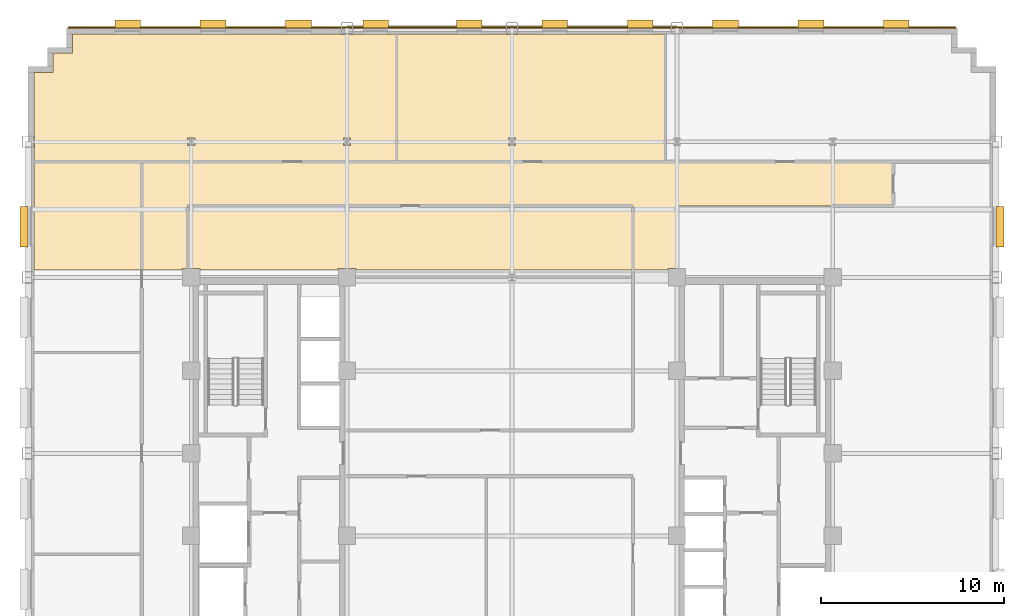
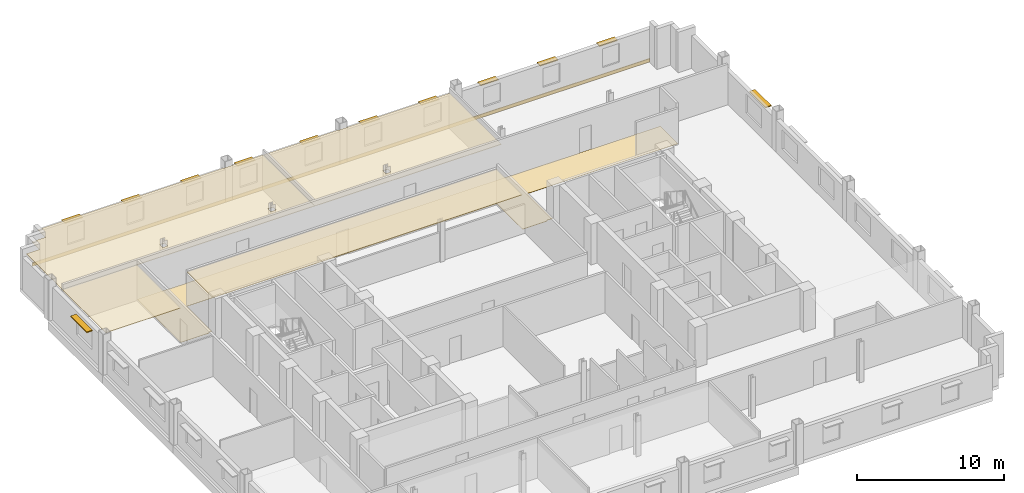
# One storey, part 13 of 13: 12 shading devices, 6 coverings.
"""IFC4 building model written with IfcOpenShell, lengths in metres."""

from ifc_helpers import new_model, si_unit, direction, frame, origin, origin_2d, place, context, subcontext, project, spatial, polyline, rectangle, outline, extrude, source, transform, mapped, material, layer, layer_set, type_object, type_shapes, element, save


model = new_model("IFC4")

# Units and contexts
model_context = context("Model", 3, precision=1e-05, world=origin(), true_north=direction((0.0, 1.0)))
body_context = subcontext(model_context, "Body", "Model", "MODEL_VIEW")
ifc_project = project(units=[si_unit("LENGTHUNIT", "METRE"), si_unit("AREAUNIT", "SQUARE_METRE"), si_unit("VOLUMEUNIT", "CUBIC_METRE"), si_unit("PLANEANGLEUNIT", "RADIAN"), si_unit("MASSUNIT", "GRAM", prefix="KILO")], contexts=[model_context])

# Site, building, storey
site_placement = place(None, origin())
site = spatial("IfcSite", under=ifc_project, at=site_placement, CompositionType="ELEMENT")
building_placement = place(site_placement, origin())
building = spatial("IfcBuilding", under=site, at=building_placement, Name="Nuvemarco Arch Tower", CompositionType="ELEMENT")
storey_placement = place(building_placement, frame((0.0, 0.0, 156.699951171875)))
storey = spatial("IfcBuildingStorey", under=building, at=storey_placement, Name="L41", CompositionType="ELEMENT", Elevation=156.699951171875)

# Coverings
ifc_material_1 = material(Name="Mineral acoustic ceiling tile")
ifc_layer_1 = layer(ifc_material_1, 0.0400390625, Name="COV-ACOUSTIC-CLG")
ifc_layer_set_1 = layer_set([ifc_layer_1], Name="Mineral acoustic ceiling tile")
covering_type_1 = type_object("IfcCoveringType", Name="COV-ACOUSTIC-CLG", PredefinedType="CEILING", material=ifc_layer_set_1)
covering_1_placement = place(storey_placement, frame((0.0, 0.0, 2.85009765625)))
element("IfcCovering", 1, at=covering_1_placement, inside=storey, type_object=covering_type_1, Name="L41 suspended acoustic ceiling 2", PredefinedType="CEILING", context=body_context, shape_type="SweptSolid", body=[
    extrude(outline(polyline([(-26.06005859375, 16.659912109375), (-26.06005859375, 17.340087890625), (-26.080078125, 17.340087890625), (-26.080078125, 20.780029296875), (-25.030029296875, 20.780029296875), (-25.030029296875, 21.830078125), (-23.97998046875, 21.830078125), (-23.97998046875, 22.8798828125), (-9.340087890625, 22.8798828125), (-9.340087890625, 22.860107421875), (-8.659912109375, 22.860107421875), (-8.659912109375, 22.8798828125), (-6.280029296875, 22.8798828125), (-6.280029296875, 15.89990234375), (-17.699951171875, 15.89990234375), (-20.199951171875, 15.89990234375), (-26.080078125, 15.89990234375), (-26.080078125, 16.659912109375), (-26.06005859375, 16.659912109375)]), holes=[polyline([(-17.304931640625, 16.804931640625), (-17.304931640625, 17.195068359375), (-17.695068359375, 17.195068359375), (-17.695068359375, 16.804931640625), (-17.304931640625, 16.804931640625)]), polyline([(-8.804931640625, 16.804931640625), (-8.804931640625, 17.195068359375), (-9.195068359375, 17.195068359375), (-9.195068359375, 16.804931640625), (-8.804931640625, 16.804931640625)])]), origin(), (0.0, 0.0, 1.0), 0.0400390625),
])
covering_2_placement = place(storey_placement, frame((0.0, 0.0, 2.85009765625)))
element("IfcCovering", 2, at=covering_2_placement, inside=storey, type_object=covering_type_1, Name="L41 suspended acoustic ceiling 3", PredefinedType="CEILING", context=body_context, shape_type="SweptSolid", body=[
    extrude(outline(polyline([(-0.340087890625, 22.860107421875), (0.340087890625, 22.860107421875), (0.340087890625, 22.8798828125), (8.35009765625, 22.8798828125), (8.35009765625, 15.89990234375), (6.60009765625, 15.89990234375), (-6.280029296875, 15.89990234375), (-6.280029296875, 22.8798828125), (-0.340087890625, 22.8798828125), (-0.340087890625, 22.860107421875)]), holes=[polyline([(0.195068359375, 16.804931640625), (0.195068359375, 17.195068359375), (-0.195068359375, 17.195068359375), (-0.195068359375, 16.804931640625), (0.195068359375, 16.804931640625)])]), origin(), (0.0, 0.0, 1.0), 0.0400390625),
])
covering_3_placement = place(storey_placement, frame((0.0, 0.0, 2.85009765625)))
element("IfcCovering", 3, at=covering_3_placement, inside=storey, type_object=covering_type_1, Name="L41 suspended acoustic ceiling 4", PredefinedType="CEILING", context=body_context, shape_type="SweptSolid", body=[
    extrude(outline(polyline([(6.60009765625, 13.5), (6.60009765625, 10.0), (-8.510009765625, 10.0), (-8.510009765625, 10.090087890625), (-9.489990234375, 10.090087890625), (-9.489990234375, 10.0), (-17.010009765625, 10.0), (-17.010009765625, 10.090087890625), (-17.699951171875, 10.090087890625), (-17.699951171875, 13.5), (6.60009765625, 13.5)])), origin(), (0.0, 0.0, 1.0), 0.0400390625),
])
covering_4_placement = place(storey_placement, frame((0.0, 0.0, 2.85009765625)))
element("IfcCovering", 4, at=covering_4_placement, inside=storey, type_object=covering_type_1, Name="L41 suspended acoustic ceiling 8", PredefinedType="CEILING", context=body_context, shape_type="SweptSolid", body=[
    extrude(outline(polyline([(-20.199951171875, 15.89990234375), (-20.199951171875, 13.5), (-20.199951171875, 10.0), (-26.080078125, 10.0), (-26.080078125, 15.89990234375), (-20.199951171875, 15.89990234375)])), origin(), (0.0, 0.0, 1.0), 0.0400390625),
])
ifc_material_2 = material(Name="Polished granite terrazzostone flooring", Category="masonry")
ifc_layer_2 = layer(ifc_material_2, 0.02001953125, Name="COV-LOBBY-FLR")
ifc_layer_set_2 = layer_set([ifc_layer_2], Name="Polished granite terrazzostone flooring")
covering_type_2 = type_object("IfcCoveringType", Name="COV-LOBBY-FLR", PredefinedType="FLOORING", material=ifc_layer_set_2)
covering_5_placement = place(storey_placement, origin())
element("IfcCovering", 5, at=covering_5_placement, inside=storey, type_object=covering_type_2, Name="L41 polished terrazzo lobby flooring", PredefinedType="FLOORING", context=body_context, shape_type="SweptSolid", body=[
    extrude(outline(polyline([(-20.199951171875, 13.5), (-20.199951171875, 15.89990234375), (-17.699951171875, 15.89990234375), (6.60009765625, 15.89990234375), (9.0, 15.89990234375), (20.800048828125, 15.89990234375), (20.800048828125, 13.5), (9.0, 13.5), (9.0, 10.090087890625), (8.510009765625, 10.090087890625), (8.510009765625, 10.0), (6.60009765625, 10.0), (6.60009765625, 13.5), (-17.699951171875, 13.5), (-17.699951171875, 10.090087890625), (-17.989990234375, 10.090087890625), (-17.989990234375, 10.0), (-20.199951171875, 10.0), (-20.199951171875, 13.5)])), origin(), (0.0, 0.0, 1.0), 0.02001953125),
])

# Shading devices
ifc_material_3 = material(Name="Anodised aluminium 6063-T6", Category="aluminium")
shading_device_type_1 = type_object("IfcShadingDeviceType", Name="SHD-BRISE-SOLEIL", PredefinedType="USERDEFINED", material=ifc_material_3)
shared_shape_1 = source(origin(), body_context, "Body", "SweptSolid", [
    extrude(rectangle(XDim=2.199951171875, YDim=0.449951171875, at=origin_2d()), origin(), (0.0, 0.0, 1.0), 0.080078125),
])
type_shapes(shading_device_type_1, [shared_shape_1])
for number, where, z_axis, x_axis, name in (
    (6, (26.614990234375, 12.364990234375, 2.364990234375), (0.0, 0.0, 1.0), (0.0, 1.0, 0.0), "L41 horizontal brise-soleil sunshade"),
    (7, (-26.614990234375, 12.364990234375, 2.364990234375), (0.0, 0.0, 1.0), (0.0, 1.0, 0.0), "L41 horizontal brise-soleil sunshade"),
):
    element("IfcShadingDevice", number, at=place(storey_placement, frame(where, z_axis=z_axis, x_axis=x_axis)), inside=storey, type_object=shading_device_type_1, Name=name, ObjectType="SUNSHADE", PredefinedType="USERDEFINED", context=body_context, shape_type="MappedRepresentation", body=[
        mapped(shared_shape_1, transform((0.0, 0.0, 0.0), scale=1.0)),
    ])
shading_device_type_2 = type_object("IfcShadingDeviceType", Name="SHD-BRISE-NARROW", PredefinedType="USERDEFINED", material=ifc_material_3)
shared_shape_2 = source(origin(), body_context, "Body", "SweptSolid", [
    extrude(rectangle(XDim=1.39990234375, YDim=0.449951171875, at=origin_2d()), origin(), (0.0, 0.0, 1.0), 0.080078125),
])
type_shapes(shading_device_type_2, [shared_shape_2])
for number, where, z_axis, x_axis, name in (
    (8, (-20.969970703125, 23.4150390625, 2.364990234375), (0.0, 0.0, 1.0), (1.0, 0.0, 0.0), "L41 horizontal brise-soleil sunshade"),
    (9, (-16.31005859375, 23.4150390625, 2.364990234375), (0.0, 0.0, 1.0), (1.0, 0.0, 0.0), "L41 horizontal brise-soleil sunshade"),
    (10, (-11.64990234375, 23.4150390625, 2.364990234375), (0.0, 0.0, 1.0), (1.0, 0.0, 0.0), "L41 horizontal brise-soleil sunshade"),
    (11, (-7.43994140625, 23.4150390625, 2.364990234375), (0.0, 0.0, 1.0), (1.0, 0.0, 0.0), "L41 horizontal brise-soleil sunshade"),
    (12, (-2.330078125, 23.4150390625, 2.364990234375), (0.0, 0.0, 1.0), (1.0, 0.0, 0.0), "L41 horizontal brise-soleil sunshade"),
    (13, (2.330078125, 23.4150390625, 2.364990234375), (0.0, 0.0, 1.0), (1.0, 0.0, 0.0), "L41 horizontal brise-soleil sunshade"),
    (14, (6.989990234375, 23.4150390625, 2.364990234375), (0.0, 0.0, 1.0), (1.0, 0.0, 0.0), "L41 horizontal brise-soleil sunshade"),
    (15, (11.64990234375, 23.4150390625, 2.364990234375), (0.0, 0.0, 1.0), (1.0, 0.0, 0.0), "L41 horizontal brise-soleil sunshade"),
    (16, (16.31005859375, 23.4150390625, 2.364990234375), (0.0, 0.0, 1.0), (1.0, 0.0, 0.0), "L41 horizontal brise-soleil sunshade"),
    (17, (20.969970703125, 23.4150390625, 2.364990234375), (0.0, 0.0, 1.0), (1.0, 0.0, 0.0), "L41 horizontal brise-soleil sunshade"),
):
    element("IfcShadingDevice", number, at=place(storey_placement, frame(where, z_axis=z_axis, x_axis=x_axis)), inside=storey, type_object=shading_device_type_2, Name=name, ObjectType="SUNSHADE", PredefinedType="USERDEFINED", context=body_context, shape_type="MappedRepresentation", body=[
        mapped(shared_shape_2, transform((0.0, 0.0, 0.0), scale=1.0)),
    ])

# Covering
ifc_material_4 = material(Name="Precast concrete C45/55", Category="concrete")
ifc_layer_3 = layer(ifc_material_4, 0.06005859375, Name="COV-SPANDREL-CLAD")
ifc_layer_set_3 = layer_set([ifc_layer_3], Name="Precast concrete C45/55")
covering_type_3 = type_object("IfcCoveringType", Name="COV-SPANDREL-CLAD", PredefinedType="CLADDING", material=ifc_layer_set_3)
shared_shape_3 = source(origin(), body_context, "Body", "SweptSolid", [
    extrude(rectangle(XDim=48.39990234375, YDim=0.06005859375, at=origin_2d()), origin(), (0.0, 0.0, 1.0), 0.280029296875),
])
type_shapes(covering_type_3, [shared_shape_3])
covering_6_placement = place(storey_placement, frame((0.0, 23.22900390625, -0.27978515625), z_axis=(0.0, 0.0, 1.0), x_axis=(1.0, 0.0, 0.0)))
element("IfcCovering", 18, at=covering_6_placement, inside=storey, type_object=covering_type_3, Name="L41 precast spandrel edge cladding north", PredefinedType="CLADDING", context=body_context, shape_type="MappedRepresentation", body=[
    mapped(shared_shape_3, transform((0.0, 0.0, 0.0), scale=1.0)),
])

save(model, "model.ifc")
